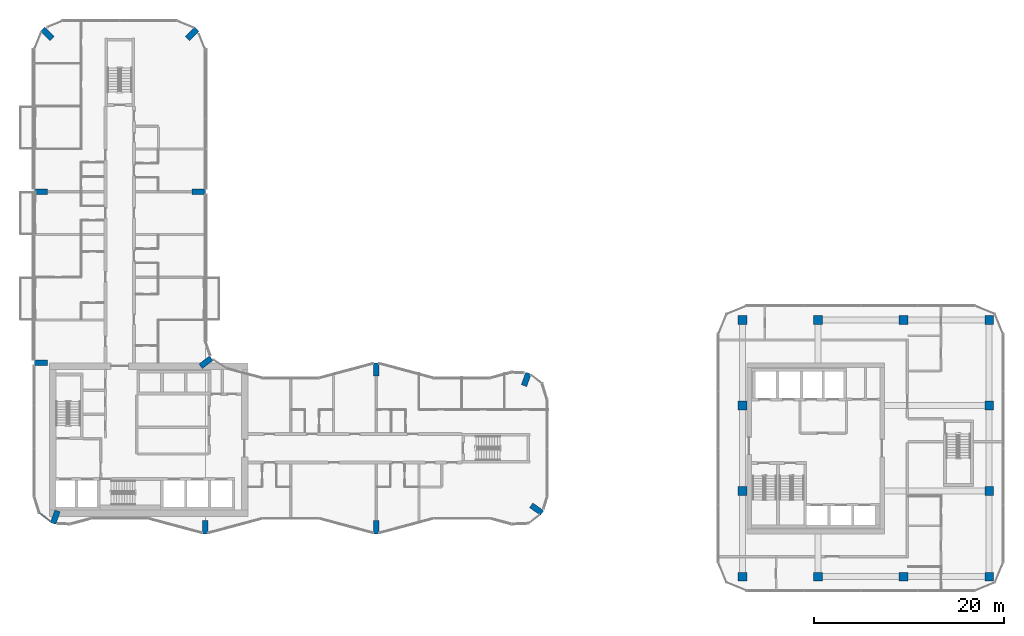
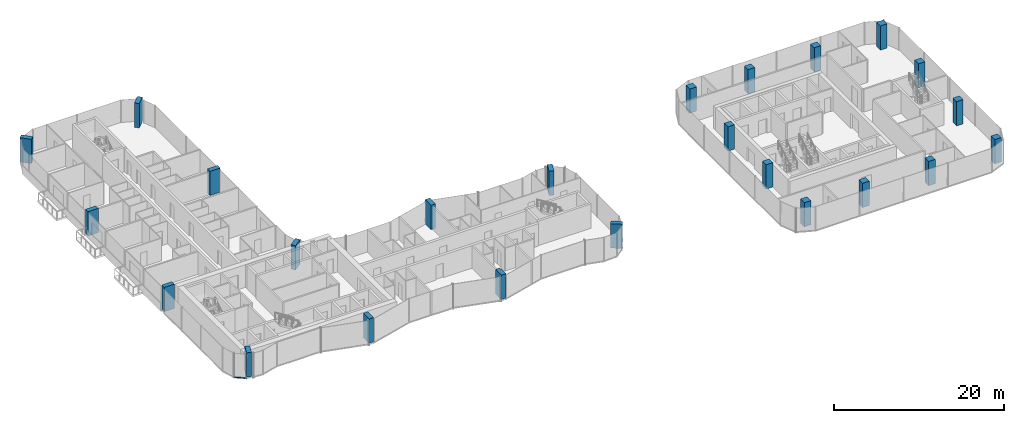
# One storey, part 1 of 22: 24 columns, 1 member, 1 element without a shape of its own.
"""IFC4 building model written with IfcOpenShell, lengths in metres."""

from ifc_helpers import new_model, si_unit, direction, frame, origin, origin_2d, place, context, subcontext, project, spatial, rectangle, extrude, material, layer, layer_set, material_profile, profile_set, type_object, element, aggregate, save


model = new_model("IFC4")

# Units and contexts
model_context = context("Model", 3, precision=1e-05, world=origin(), true_north=direction((0.0, 1.0)))
body_context = subcontext(model_context, "Body", "Model", "MODEL_VIEW")
ifc_project = project(units=[si_unit("LENGTHUNIT", "METRE"), si_unit("AREAUNIT", "SQUARE_METRE"), si_unit("VOLUMEUNIT", "CUBIC_METRE"), si_unit("PLANEANGLEUNIT", "RADIAN"), si_unit("MASSUNIT", "GRAM", prefix="KILO")], contexts=[model_context])

# Site, building, storey
site_placement = place(None, origin())
site = spatial("IfcSite", under=ifc_project, at=site_placement, CompositionType="ELEMENT")
building_placement = place(site_placement, origin())
building = spatial("IfcBuilding", under=site, at=building_placement, Name="Plateau Cross Towers", CompositionType="ELEMENT")
storey_placement = place(building_placement, frame((0.0, 0.0, 61.800048828125)))
storey = spatial("IfcBuildingStorey", under=building, at=storey_placement, Name="L15", CompositionType="ELEMENT", Elevation=61.800048828125)

# Columns
ifc_material_1 = material(Name="Concrete C60/75", Category="concrete")
ifc_material_profile_1 = material_profile(ifc_material_1, rectangle(XDim=0.60009765625, YDim=1.39990234375, at=origin_2d()), Name="RC 600x1400")
ifc_profile_set_1 = profile_set([ifc_material_profile_1], Name="Concrete C60/75")
column_type_1 = type_object("IfcColumnType", Name="Fin pier column RC 600x1400", PredefinedType="COLUMN", material=ifc_profile_set_1)
for number, where, z_axis, x_axis, name in (
    (1, (18.0, 0.699951171875, 0.0), (0.0, 0.0, 1.0), (1.0, 0.0, 0.0), "PR1 L15"),
    (2, (36.0, 0.699951171875, 0.0), (0.0, 0.0, 1.0), (1.0, 0.0, 0.0), "PR2 L15"),
    (3, (52.884033203125, 2.590087890625, 0.0), (0.0, 0.0, 1.0), (0.573542637991, 0.819175709117, 0.0), "PR3 L15"),
    (4, (51.786865234375, 16.251953125, 0.0), (0.0, 0.0, 1.0), (-0.939664280925, 0.342097996418, 0.0), "PR4 L15"),
    (5, (36.0, 17.300048828125, 0.0), (0.0, 0.0, 1.0), (1.0, 0.0, 0.0), "PR5 L15"),
    (6, (18.064697265625, 18.049560546875, 0.0), (0.0, 0.0, 1.0), (-0.608810846443, 0.793315418515, 0.0), "PR6 L15"),
    (7, (17.300048828125, 36.0, 0.0), (0.0, 0.0, 1.0), (0.0, 1.0, 0.0), "PR7 L15"),
    (8, (16.62646484375, 52.62646484375, 0.0), (0.0, 0.0, 1.0), (-0.707106781187, 0.707106781187, 0.0), "PR8 L15"),
    (9, (1.37353515625, 52.62646484375, 0.0), (0.0, 0.0, 1.0), (0.707106781187, 0.707106781187, 0.0), "PR9 L15"),
    (10, (0.699951171875, 36.0, 0.0), (0.0, 0.0, 1.0), (0.0, 1.0, 0.0), "PR10 L15"),
    (11, (0.699951171875, 18.0, 0.0), (0.0, 0.0, 1.0), (0.0, 1.0, 0.0), "PR11 L15"),
    (12, (2.213134765625, 1.748046875, 0.0), (0.0, 0.0, 1.0), (-0.939664280925, 0.342097996418, 0.0), "PR12 L15"),
):
    element("IfcColumn", number, at=place(storey_placement, frame(where, z_axis=z_axis, x_axis=x_axis)), inside=storey, type_object=column_type_1, Name=name, PredefinedType="COLUMN", context=body_context, shape_type="SweptSolid", body=[
        extrude(rectangle(XDim=0.60009765625, YDim=1.39990234375, at=origin_2d()), origin(), (0.0, 0.0, 1.0), 3.5),
    ])
ifc_material_profile_2 = material_profile(ifc_material_1, rectangle(XDim=0.89990234375, YDim=0.89990234375, at=origin_2d()), Name="RC 900x900")
ifc_profile_set_2 = profile_set([ifc_material_profile_2], Name="Concrete C60/75")
column_type_2 = type_object("IfcColumnType", Name="Office column RC 900x900", PredefinedType="COLUMN", material=ifc_profile_set_2)
for number, where, z_axis, x_axis, name in (
    (13, (74.550048828125, -4.5, 0.0), (0.0, 0.0, 1.0), (1.0, 0.0, 0.0), "B-C746_-45 L15"),
    (14, (82.5, -4.5, 0.0), (0.0, 0.0, 1.0), (1.0, 0.0, 0.0), "B-C825_-45 L15"),
    (15, (91.5, -4.5, 0.0), (0.0, 0.0, 1.0), (1.0, 0.0, 0.0), "B-C915_-45 L15"),
    (16, (100.5, -4.5, 0.0), (0.0, 0.0, 1.0), (1.0, 0.0, 0.0), "B-C1005_-45 L15"),
    (17, (100.5, 4.5, 0.0), (0.0, 0.0, 1.0), (1.0, 0.0, 0.0), "B-C1005_45 L15"),
    (18, (100.5, 13.5, 0.0), (0.0, 0.0, 1.0), (1.0, 0.0, 0.0), "B-C1005_135 L15"),
    (19, (100.5, 22.5, 0.0), (0.0, 0.0, 1.0), (1.0, 0.0, 0.0), "B-C1005_225 L15"),
    (20, (91.5, 22.5, 0.0), (0.0, 0.0, 1.0), (1.0, 0.0, 0.0), "B-C915_225 L15"),
    (21, (82.5, 22.5, 0.0), (0.0, 0.0, 1.0), (1.0, 0.0, 0.0), "B-C825_225 L15"),
    (22, (74.550048828125, 22.5, 0.0), (0.0, 0.0, 1.0), (1.0, 0.0, 0.0), "B-C746_225 L15"),
    (23, (74.550048828125, 13.5, 0.0), (0.0, 0.0, 1.0), (1.0, 0.0, 0.0), "B-C746_135 L15"),
    (24, (74.550048828125, 4.5, 0.0), (0.0, 0.0, 1.0), (1.0, 0.0, 0.0), "B-C746_45 L15"),
):
    element("IfcColumn", number, at=place(storey_placement, frame(where, z_axis=z_axis, x_axis=x_axis)), inside=storey, type_object=column_type_2, Name=name, PredefinedType="COLUMN", context=body_context, shape_type="SweptSolid", body=[
        extrude(rectangle(XDim=0.89990234375, YDim=0.89990234375, at=origin_2d()), origin(), (0.0, 0.0, 1.0), 3.5),
    ])

# Curtain wall, member
ifc_material_2 = material(Name="Dark low-iron glass", Category="glass")
ifc_layer = layer(ifc_material_2, 0.239990234375)
ifc_layer_set = layer_set([ifc_layer], Name="Dark low-iron glass")
curtain_wall_type = type_object("IfcCurtainWallType", Name="Curtain wall flush unitised CW-B", PredefinedType="NOTDEFINED", material=ifc_layer_set)
curtain_wall_placement = place(storey_placement, origin())
curtain_wall = element("IfcCurtainWall", 25, at=curtain_wall_placement, inside=storey, type_object=curtain_wall_type, Name="ENV/A/L15/A5_22", PredefinedType="NOTDEFINED")
ifc_material_3 = material(Name="Black anodised aluminium", Category="aluminium")
ifc_material_profile_3 = material_profile(ifc_material_3, rectangle(XDim=0.10009765625, YDim=0.1201171875, at=origin_2d()), Name="TRANSOM 100x120")
ifc_profile_set_3 = profile_set([ifc_material_profile_3], Name="Black anodised aluminium")
member_type = type_object("IfcMemberType", Name="Transom 100x120 flush unitised", PredefinedType="USERDEFINED", material=ifc_profile_set_3)
member_placement = place(storey_placement, frame((0.54248046875, 2.1884765625, -0.18994140625), z_axis=(0.793320508571, -0.608804213751, 0.0), x_axis=(0.608804213751, 0.793320508571, 0.0)))
member = element("IfcMember", 26, at=member_placement, type_object=member_type, Name="CW-B transom", ObjectType="TRANSOM", PredefinedType="USERDEFINED", context=body_context, shape_type="SweptSolid", body=[
    extrude(rectangle(XDim=0.10009765625, YDim=0.1201171875, at=origin_2d()), origin(), (0.0, 0.0, 1.0), 1.471435546875),
])
aggregate(curtain_wall, [member])

save(model, "model.ifc")
